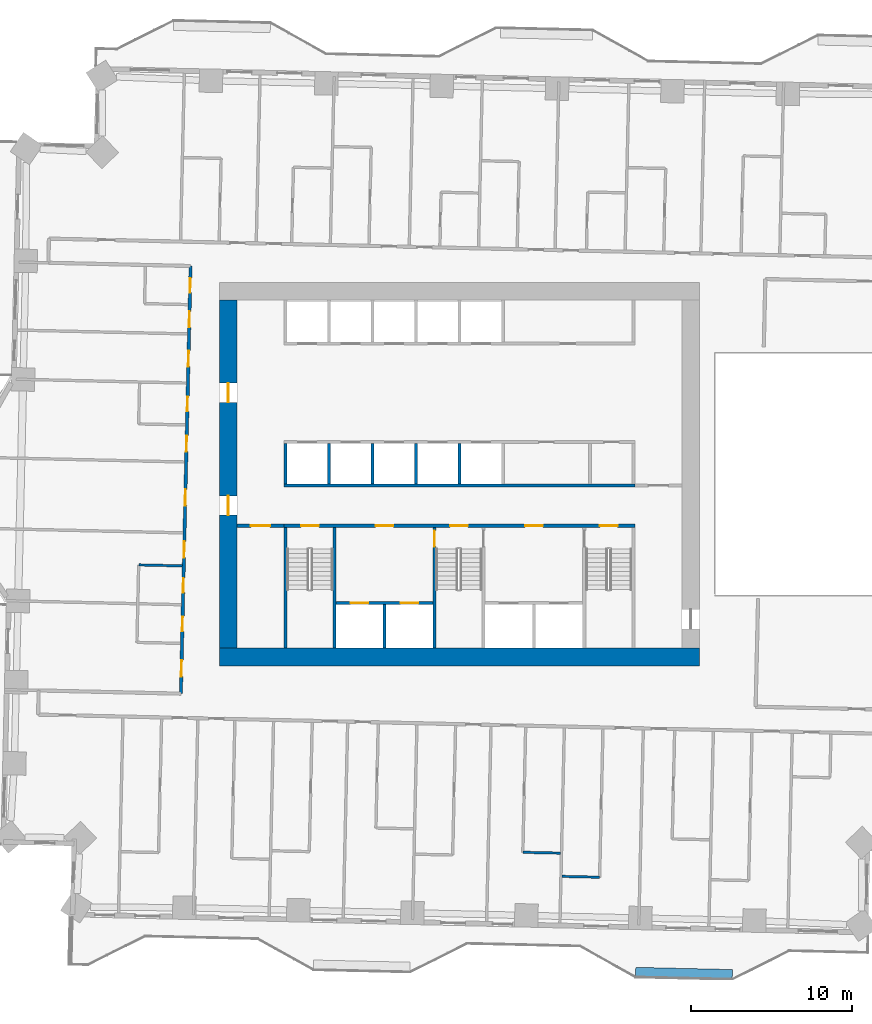
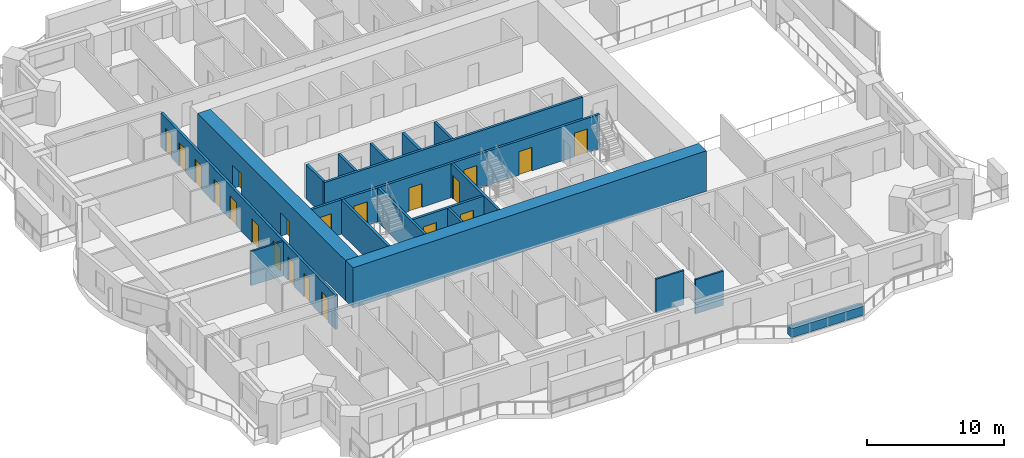
# One storey, part 8 of 18: 21 doors, 20 walls, 21 openings.
"""IFC4 building model written with IfcOpenShell, lengths in metres."""

from ifc_helpers import new_model, si_unit, direction, frame, frame_2d, origin, place, context, subcontext, project, spatial, rectangle, extrude, material, layer, layer_set, type_object, element, fill, save


model = new_model("IFC4")

# Units and contexts
model_context = context("Model", 3, precision=1e-05, world=origin(), true_north=direction((0.0, 1.0)))
body_context = subcontext(model_context, "Body", "Model", "MODEL_VIEW")
ifc_project = project(units=[si_unit("LENGTHUNIT", "METRE"), si_unit("AREAUNIT", "SQUARE_METRE"), si_unit("VOLUMEUNIT", "CUBIC_METRE"), si_unit("PLANEANGLEUNIT", "RADIAN"), si_unit("MASSUNIT", "GRAM", prefix="KILO")], contexts=[model_context])

# Site, building, storey
site_placement = place(None, origin())
site = spatial("IfcSite", under=ifc_project, at=site_placement, CompositionType="ELEMENT")
building_placement = place(site_placement, origin())
building = spatial("IfcBuilding", under=site, at=building_placement, Name="Mangrove Gate Tower", CompositionType="ELEMENT")
storey_placement = place(building_placement, frame((0.0, 0.0, 71.10009765625)))
storey = spatial("IfcBuildingStorey", under=building, at=storey_placement, Name="L17", CompositionType="ELEMENT", Elevation=71.10009765625)

# Wall, opening, door
ifc_material_1 = material(Name="Concrete C32/40", Category="concrete")
ifc_layer_1 = layer(ifc_material_1, 0.199951171875)
ifc_layer_set_1 = layer_set([ifc_layer_1], Name="Core lobby wall 200 C32/40")
wall_type_1 = type_object("IfcWallType", Name="Core lobby wall 200 C32/40", PredefinedType="STANDARD", material=ifc_layer_set_1)
wall_1_placement = place(storey_placement, frame((-13.800048828125, -3.199951171875, 0.0), z_axis=(0.0, 0.0, 1.0), x_axis=(1.0, 0.0, 0.0)))
wall_1 = element("IfcWall", 1, at=wall_1_placement, inside=storey, type_object=wall_type_1, Name="WALL-L17-CORE-34", PredefinedType="STANDARD", context=body_context, shape_type="SweptSolid", body=[
    extrude(rectangle(XDim=2.900146484375, YDim=0.199951171875, at=frame_2d((1.4501953125, 0.0))), origin(), (0.0, 0.0, 1.0), 3.0498046875),
])
opening_1_placement = place(wall_1_placement, frame((0.85009765625, 0.0, 0.0)))
opening_1 = element("IfcOpeningElement", 2, at=opening_1_placement, cuts=wall_1, Name="Opening FL12", PredefinedType="OPENING", context=body_context, shape_type="SweptSolid", body=[
    extrude(rectangle(XDim=1.199951171875, YDim=2.10009765625, at=frame_2d((0.60009765625, 1.050048828125))), frame((0.0, 0.10986328125, 0.0), z_axis=(0.0, -1.0, 0.0), x_axis=(1.0, 0.0, 0.0)), (0.0, 0.0, 1.0), 0.219970703125),
])
ifc_material_2 = material(Name="Fire-rated steel door set", Category="steel")
door_type_1 = type_object("IfcDoorType", Name="Lobby door FD60 1200x2100", OperationType="SINGLE_SWING_LEFT", PredefinedType="DOOR", material=ifc_material_2)
door_1_placement = place(opening_1_placement, origin())
door_1 = element("IfcDoor", 3, at=door_1_placement, inside=storey, type_object=door_type_1, Name="Lobby door core corridor W partition", OperationType="SINGLE_SWING_LEFT", OverallHeight=2.10009765625, OverallWidth=1.199951171875, PredefinedType="DOOR", context=body_context, shape_type="SweptSolid", body=[
    extrude(rectangle(XDim=1.199951171875, YDim=2.10009765625, at=frame_2d((0.60009765625, 1.050048828125))), frame((0.0, 0.02490234375, 0.0), z_axis=(0.0, -1.0, 0.0), x_axis=(1.0, 0.0, 0.0)), (0.0, 0.0, 1.0), 0.050048828125),
])
fill(opening_1, door_1)

# Wall
ifc_material_3 = material(Name="Concrete C70/85", Category="concrete")
ifc_layer_2 = layer(ifc_material_3, 0.199951171875)
ifc_layer_set_2 = layer_set([ifc_layer_2], Name="Core shaft wall 200 C70/85")
wall_type_2 = type_object("IfcWallType", Name="Core shaft wall 200 C70/85", PredefinedType="SHEAR", material=ifc_layer_set_2)
wall_2_placement = place(storey_placement, frame((-10.89990234375, -0.699951171875, 0.0), z_axis=(0.0, 0.0, 1.0), x_axis=(1.0, 0.0, 0.0)))
element("IfcWall", 4, at=wall_2_placement, inside=storey, type_object=wall_type_2, Name="WALL-L17-CORE-6", PredefinedType="SHEAR", context=body_context, shape_type="SweptSolid", body=[
    extrude(rectangle(XDim=21.7998046875, YDim=0.199951171875, at=frame_2d((10.89990234375, 0.0))), origin(), (0.0, 0.0, 1.0), 3.0498046875),
])

# Wall, openings, doors
wall_3_placement = place(storey_placement, frame((-7.64990234375, -8.0, 0.0), z_axis=(0.0, 0.0, 1.0), x_axis=(1.0, 0.0, 0.0)))
wall_3 = element("IfcWall", 5, at=wall_3_placement, inside=storey, type_object=wall_type_2, Name="WALL-L17-CORE-15", PredefinedType="SHEAR", context=body_context, shape_type="SweptSolid", body=[
    extrude(rectangle(XDim=6.0, YDim=0.199951171875, at=frame_2d((3.0, 0.0))), origin(), (0.0, 0.0, 1.0), 3.0498046875),
])
opening_2_placement = place(wall_3_placement, frame((0.89990234375, 0.0, 0.0)))
opening_2 = element("IfcOpeningElement", 6, at=opening_2_placement, cuts=wall_3, Name="Opening LD", PredefinedType="OPENING", context=body_context, shape_type="SweptSolid", body=[
    extrude(rectangle(XDim=1.10009765625, YDim=2.10009765625, at=frame_2d((0.550048828125, 1.050048828125))), frame((0.0, 0.10986328125, 0.0), z_axis=(0.0, -1.0, 0.0), x_axis=(1.0, 0.0, 0.0)), (0.0, 0.0, 1.0), 0.219970703125),
])
opening_3_placement = place(wall_3_placement, frame((4.0, 0.0, 0.0)))
opening_3 = element("IfcOpeningElement", 7, at=opening_3_placement, cuts=wall_3, Name="Opening LD", PredefinedType="OPENING", context=body_context, shape_type="SweptSolid", body=[
    extrude(rectangle(XDim=1.10009765625, YDim=2.10009765625, at=frame_2d((0.550048828125, 1.050048828125))), frame((0.0, 0.10986328125, 0.0), z_axis=(0.0, -1.0, 0.0), x_axis=(1.0, 0.0, 0.0)), (0.0, 0.0, 1.0), 0.219970703125),
])
ifc_material_4 = material(Name="Stainless steel 316", Category="steel")
door_type_2 = type_object("IfcDoorType", Name="Lift landing door 1100x2100", OperationType="SLIDING_TO_LEFT", PredefinedType="DOOR", material=ifc_material_4)
door_2_placement = place(opening_2_placement, origin())
door_2 = element("IfcDoor", 8, at=door_2_placement, inside=storey, type_object=door_type_2, Name="Landing door LD SVL1", OperationType="SLIDING_TO_LEFT", OverallHeight=2.10009765625, OverallWidth=1.10009765625, PredefinedType="DOOR", context=body_context, shape_type="SweptSolid", body=[
    extrude(rectangle(XDim=1.10009765625, YDim=2.10009765625, at=frame_2d((0.550048828125, 1.050048828125))), frame((0.0, 0.02490234375, 0.0), z_axis=(0.0, -1.0, 0.0), x_axis=(1.0, 0.0, 0.0)), (0.0, 0.0, 1.0), 0.050048828125),
])
fill(opening_2, door_2)
door_3_placement = place(opening_3_placement, origin())
door_3 = element("IfcDoor", 9, at=door_3_placement, inside=storey, type_object=door_type_2, Name="Landing door LD SVL2", OperationType="SLIDING_TO_LEFT", OverallHeight=2.10009765625, OverallWidth=1.10009765625, PredefinedType="DOOR", context=body_context, shape_type="SweptSolid", body=[
    extrude(rectangle(XDim=1.10009765625, YDim=2.10009765625, at=frame_2d((0.550048828125, 1.050048828125))), frame((0.0, 0.02490234375, 0.0), z_axis=(0.0, -1.0, 0.0), x_axis=(1.0, 0.0, 0.0)), (0.0, 0.0, 1.0), 0.050048828125),
])
fill(opening_3, door_3)

# Walls
wall_4_placement = place(storey_placement, frame((-4.64990234375, -10.800048828125, 0.0), z_axis=(0.0, 0.0, 1.0), x_axis=(0.0, 1.0, 0.0)))
element("IfcWall", 10, at=wall_4_placement, inside=storey, type_object=wall_type_2, Name="WALL-L17-CORE-16", PredefinedType="SHEAR", context=body_context, shape_type="SweptSolid", body=[
    extrude(rectangle(XDim=2.699951171875, YDim=0.199951171875, at=frame_2d((1.35009765625, 0.0))), origin(), (0.0, 0.0, 1.0), 3.0498046875),
])
for number, where, z_axis, x_axis, name in (
    (11, (-10.800048828125, -0.60009765625, 0.0), (0.0, 0.0, 1.0), (0.0, 1.0, 0.0), "WALL-L17-CORE-19"),
    (12, (-8.10009765625, -0.60009765625, 0.0), (0.0, 0.0, 1.0), (0.0, 1.0, 0.0), "WALL-L17-CORE-20"),
    (13, (-5.39990234375, -0.60009765625, 0.0), (0.0, 0.0, 1.0), (0.0, 1.0, 0.0), "WALL-L17-CORE-21"),
    (14, (-2.699951171875, -0.60009765625, 0.0), (0.0, 0.0, 1.0), (0.0, 1.0, 0.0), "WALL-L17-CORE-22"),
    (15, (0.0, -0.60009765625, 0.0), (0.0, 0.0, 1.0), (0.0, 1.0, 0.0), "WALL-L17-CORE-23"),
):
    element("IfcWall", number, at=place(storey_placement, frame(where, z_axis=z_axis, x_axis=x_axis)), inside=storey, type_object=wall_type_2, Name=name, PredefinedType="SHEAR", context=body_context, shape_type="SweptSolid", body=[
        extrude(rectangle(XDim=2.5, YDim=0.199951171875, at=frame_2d((1.25, 0.0))), origin(), (0.0, 0.0, 1.0), 3.0498046875),
    ])

# Wall, openings, doors
ifc_material_5 = material(Name="Concrete C70/85", Category="concrete")
ifc_layer_3 = layer(ifc_material_5, 0.199951171875)
ifc_layer_set_3 = layer_set([ifc_layer_3], Name="Core stair wall 200 C70/85")
wall_type_3 = type_object("IfcWallType", Name="Core stair wall 200 C70/85", PredefinedType="SHEAR", material=ifc_layer_set_3)
wall_5_placement = place(storey_placement, frame((-10.89990234375, -3.199951171875, 0.0), z_axis=(0.0, 0.0, 1.0), x_axis=(1.0, 0.0, 0.0)))
wall_5 = element("IfcWall", 16, at=wall_5_placement, inside=storey, type_object=wall_type_3, Name="WALL-L17-CORE-5", PredefinedType="SHEAR", context=body_context, shape_type="SweptSolid", body=[
    extrude(rectangle(XDim=21.7998046875, YDim=0.199951171875, at=frame_2d((10.89990234375, 0.0))), origin(), (0.0, 0.0, 1.0), 3.0498046875),
])
opening_4_placement = place(wall_5_placement, frame((1.074951171875, 0.0, 0.0)))
opening_4 = element("IfcOpeningElement", 17, at=opening_4_placement, cuts=wall_5, Name="Opening STD11", PredefinedType="OPENING", context=body_context, shape_type="SweptSolid", body=[
    extrude(rectangle(XDim=1.10009765625, YDim=2.10009765625, at=frame_2d((0.550048828125, 1.050048828125))), frame((0.0, 0.10986328125, 0.0), z_axis=(0.0, -1.0, 0.0), x_axis=(1.0, 0.0, 0.0)), (0.0, 0.0, 1.0), 0.219970703125),
])
opening_5_placement = place(wall_5_placement, frame((10.324951171875, 0.0, 0.0)))
opening_5 = element("IfcOpeningElement", 18, at=opening_5_placement, cuts=wall_5, Name="Opening STD11", PredefinedType="OPENING", context=body_context, shape_type="SweptSolid", body=[
    extrude(rectangle(XDim=1.10009765625, YDim=2.10009765625, at=frame_2d((0.550048828125, 1.050048828125))), frame((0.0, 0.10986328125, 0.0), z_axis=(0.0, -1.0, 0.0), x_axis=(1.0, 0.0, 0.0)), (0.0, 0.0, 1.0), 0.219970703125),
])
opening_6_placement = place(wall_5_placement, frame((19.625, 0.0, 0.0)))
opening_6 = element("IfcOpeningElement", 19, at=opening_6_placement, cuts=wall_5, Name="Opening STD11", PredefinedType="OPENING", context=body_context, shape_type="SweptSolid", body=[
    extrude(rectangle(XDim=1.10009765625, YDim=2.10009765625, at=frame_2d((0.550048828125, 1.050048828125))), frame((0.0, 0.10986328125, 0.0), z_axis=(0.0, -1.0, 0.0), x_axis=(1.0, 0.0, 0.0)), (0.0, 0.0, 1.0), 0.219970703125),
])
opening_7_placement = place(wall_5_placement, frame((5.699951171875, 0.0, 0.0)))
opening_7 = element("IfcOpeningElement", 20, at=opening_7_placement, cuts=wall_5, Name="Opening FL", PredefinedType="OPENING", context=body_context, shape_type="SweptSolid", body=[
    extrude(rectangle(XDim=1.10009765625, YDim=2.10009765625, at=frame_2d((0.550048828125, 1.050048828125))), frame((0.0, 0.10986328125, 0.0), z_axis=(0.0, -1.0, 0.0), x_axis=(1.0, 0.0, 0.0)), (0.0, 0.0, 1.0), 0.219970703125),
])
opening_8_placement = place(wall_5_placement, frame((14.97509765625, 0.0, 0.0)))
opening_8 = element("IfcOpeningElement", 21, at=opening_8_placement, cuts=wall_5, Name="Opening FL", PredefinedType="OPENING", context=body_context, shape_type="SweptSolid", body=[
    extrude(rectangle(XDim=1.10009765625, YDim=2.10009765625, at=frame_2d((0.550048828125, 1.050048828125))), frame((0.0, 0.10986328125, 0.0), z_axis=(0.0, -1.0, 0.0), x_axis=(1.0, 0.0, 0.0)), (0.0, 0.0, 1.0), 0.219970703125),
])
ifc_material_6 = material(Name="Fire-rated steel door set", Category="steel")
door_type_3 = type_object("IfcDoorType", Name="Lobby door FD60 1100x2100", OperationType="SINGLE_SWING_LEFT", PredefinedType="DOOR", material=ifc_material_6)
door_4_placement = place(opening_7_placement, origin())
door_4 = element("IfcDoor", 22, at=door_4_placement, inside=storey, type_object=door_type_3, Name="Lobby door service lobby", OperationType="SINGLE_SWING_LEFT", OverallHeight=2.10009765625, OverallWidth=1.10009765625, PredefinedType="DOOR", context=body_context, shape_type="SweptSolid", body=[
    extrude(rectangle(XDim=1.10009765625, YDim=2.10009765625, at=frame_2d((0.550048828125, 1.050048828125))), frame((0.0, 0.02490234375, 0.0), z_axis=(0.0, -1.0, 0.0), x_axis=(1.0, 0.0, 0.0)), (0.0, 0.0, 1.0), 0.050048828125),
])
fill(opening_7, door_4)
door_5_placement = place(opening_8_placement, origin())
door_5 = element("IfcDoor", 23, at=door_5_placement, inside=storey, type_object=door_type_3, Name="Lobby door fire-fighting lobby", OperationType="SINGLE_SWING_LEFT", OverallHeight=2.10009765625, OverallWidth=1.10009765625, PredefinedType="DOOR", context=body_context, shape_type="SweptSolid", body=[
    extrude(rectangle(XDim=1.10009765625, YDim=2.10009765625, at=frame_2d((0.550048828125, 1.050048828125))), frame((0.0, 0.02490234375, 0.0), z_axis=(0.0, -1.0, 0.0), x_axis=(1.0, 0.0, 0.0)), (0.0, 0.0, 1.0), 0.050048828125),
])
fill(opening_8, door_5)
ifc_material_7 = material(Name="Fire-rated steel door set", Category="steel")
door_type_4 = type_object("IfcDoorType", Name="Stair door FD60 1100x2100", OperationType="SINGLE_SWING_RIGHT", PredefinedType="DOOR", material=ifc_material_7)
door_6_placement = place(opening_4_placement, origin())
door_6 = element("IfcDoor", 24, at=door_6_placement, inside=storey, type_object=door_type_4, Name="Stair door Stair 1", OperationType="SINGLE_SWING_RIGHT", OverallHeight=2.10009765625, OverallWidth=1.10009765625, PredefinedType="DOOR", context=body_context, shape_type="SweptSolid", body=[
    extrude(rectangle(XDim=1.10009765625, YDim=2.10009765625, at=frame_2d((0.550048828125, 1.050048828125))), frame((0.0, 0.02490234375, 0.0), z_axis=(0.0, -1.0, 0.0), x_axis=(1.0, 0.0, 0.0)), (0.0, 0.0, 1.0), 0.050048828125),
])
fill(opening_4, door_6)
door_7_placement = place(opening_5_placement, origin())
door_7 = element("IfcDoor", 25, at=door_7_placement, inside=storey, type_object=door_type_4, Name="Stair door Stair 2", OperationType="SINGLE_SWING_RIGHT", OverallHeight=2.10009765625, OverallWidth=1.10009765625, PredefinedType="DOOR", context=body_context, shape_type="SweptSolid", body=[
    extrude(rectangle(XDim=1.10009765625, YDim=2.10009765625, at=frame_2d((0.550048828125, 1.050048828125))), frame((0.0, 0.02490234375, 0.0), z_axis=(0.0, -1.0, 0.0), x_axis=(1.0, 0.0, 0.0)), (0.0, 0.0, 1.0), 0.050048828125),
])
fill(opening_5, door_7)
door_8_placement = place(opening_6_placement, origin())
door_8 = element("IfcDoor", 26, at=door_8_placement, inside=storey, type_object=door_type_4, Name="Stair door Stair 3", OperationType="SINGLE_SWING_RIGHT", OverallHeight=2.10009765625, OverallWidth=1.10009765625, PredefinedType="DOOR", context=body_context, shape_type="SweptSolid", body=[
    extrude(rectangle(XDim=1.10009765625, YDim=2.10009765625, at=frame_2d((0.550048828125, 1.050048828125))), frame((0.0, 0.02490234375, 0.0), z_axis=(0.0, -1.0, 0.0), x_axis=(1.0, 0.0, 0.0)), (0.0, 0.0, 1.0), 0.050048828125),
])
fill(opening_6, door_8)

# Walls
for number, where, z_axis, x_axis, name in (
    (27, (-10.800048828125, -10.800048828125, 0.0), (0.0, 0.0, 1.0), (0.0, 1.0, 0.0), "WALL-L17-CORE-9"),
    (28, (-7.75, -10.800048828125, 0.0), (0.0, 0.0, 1.0), (0.0, 1.0, 0.0), "WALL-L17-CORE-10"),
):
    element("IfcWall", number, at=place(storey_placement, frame(where, z_axis=z_axis, x_axis=x_axis)), inside=storey, type_object=wall_type_3, Name=name, PredefinedType="SHEAR", context=body_context, shape_type="SweptSolid", body=[
        extrude(rectangle(XDim=7.5, YDim=0.199951171875, at=frame_2d((3.75, 0.0))), origin(), (0.0, 0.0, 1.0), 3.0498046875),
    ])

# Wall, opening, door
wall_6_placement = place(storey_placement, frame((-1.550048828125, -10.800048828125, 0.0), z_axis=(0.0, 0.0, 1.0), x_axis=(0.0, 1.0, 0.0)))
wall_6 = element("IfcWall", 29, at=wall_6_placement, inside=storey, type_object=wall_type_3, Name="WALL-L17-CORE-11", PredefinedType="SHEAR", context=body_context, shape_type="SweptSolid", body=[
    extrude(rectangle(XDim=7.5, YDim=0.199951171875, at=frame_2d((3.75, 0.0))), origin(), (0.0, 0.0, 1.0), 3.0498046875),
])
opening_9_placement = place(wall_6_placement, frame((6.300048828125, 0.0, 0.0)))
opening_9 = element("IfcOpeningElement", 30, at=opening_9_placement, cuts=wall_6, Name="Opening STD10", PredefinedType="OPENING", context=body_context, shape_type="SweptSolid", body=[
    extrude(rectangle(XDim=1.0, YDim=2.10009765625, at=frame_2d((0.5, 1.050048828125))), frame((0.0, 0.10986328125, 0.0), z_axis=(0.0, -1.0, 0.0), x_axis=(1.0, 0.0, 0.0)), (0.0, 0.0, 1.0), 0.219970703125),
])
ifc_material_8 = material(Name="Fire-rated steel door set", Category="steel")
door_type_5 = type_object("IfcDoorType", Name="Stair door FD60 1000x2100", OperationType="SINGLE_SWING_RIGHT", PredefinedType="DOOR", material=ifc_material_8)
door_9_placement = place(opening_9_placement, origin())
door_9 = element("IfcDoor", 31, at=door_9_placement, inside=storey, type_object=door_type_5, Name="Stair door Stair 2 from service lobby", OperationType="SINGLE_SWING_RIGHT", OverallHeight=2.10009765625, OverallWidth=1.0, PredefinedType="DOOR", context=body_context, shape_type="SweptSolid", body=[
    extrude(rectangle(XDim=1.0, YDim=2.10009765625, at=frame_2d((0.5, 1.050048828125))), frame((0.0, 0.02490234375, 0.0), z_axis=(0.0, -1.0, 0.0), x_axis=(1.0, 0.0, 0.0)), (0.0, 0.0, 1.0), 0.050048828125),
])
fill(opening_9, door_9)

# Wall
ifc_material_9 = material(Name="Concrete C70/85", Category="concrete")
ifc_layer_4 = layer(ifc_material_9, 1.10009765625)
ifc_layer_set_4 = layer_set([ifc_layer_4], Name="Core wall 1100 C70/85")
wall_type_4 = type_object("IfcWallType", Name="Core wall 1100 C70/85", PredefinedType="SHEAR", material=ifc_layer_set_4)
wall_7_placement = place(storey_placement, frame((-14.89990234375, -11.35009765625, 0.0), z_axis=(0.0, 0.0, 1.0), x_axis=(1.0, 0.0, 0.0)))
element("IfcWall", 32, at=wall_7_placement, inside=storey, type_object=wall_type_4, Name="WALL-L17-CORE-1", PredefinedType="SHEAR", context=body_context, shape_type="SweptSolid", body=[
    extrude(rectangle(XDim=29.7998046875, YDim=1.10009765625, at=frame_2d((14.89990234375, 0.0))), origin(), (0.0, 0.0, 1.0), 3.599853515625),
])

# Wall, openings, doors
wall_8_placement = place(storey_placement, frame((-14.35009765625, -10.800048828125, 0.0), z_axis=(0.0, 0.0, 1.0), x_axis=(0.0, 1.0, 0.0)))
wall_8 = element("IfcWall", 33, at=wall_8_placement, inside=storey, type_object=wall_type_4, Name="WALL-L17-CORE-3", PredefinedType="SHEAR", context=body_context, shape_type="SweptSolid", body=[
    extrude(rectangle(XDim=21.60009765625, YDim=1.10009765625, at=frame_2d((10.800048828125, 0.0))), origin(), (0.0, 0.0, 1.0), 3.599853515625),
])
opening_10_placement = place(wall_8_placement, frame((8.25, 0.0, 0.0)))
opening_10 = element("IfcOpeningElement", 34, at=opening_10_placement, cuts=wall_8, Name="Opening CD", PredefinedType="OPENING", context=body_context, shape_type="SweptSolid", body=[
    extrude(rectangle(XDim=1.199951171875, YDim=2.10009765625, at=frame_2d((0.60009765625, 1.050048828125))), frame((0.0, 0.56005859375, 0.0), z_axis=(0.0, -1.0, 0.0), x_axis=(1.0, 0.0, 0.0)), (0.0, 0.0, 1.0), 1.1201171875),
])
opening_11_placement = place(wall_8_placement, frame((15.25, 0.0, 0.0)))
opening_11 = element("IfcOpeningElement", 35, at=opening_11_placement, cuts=wall_8, Name="Opening CD", PredefinedType="OPENING", context=body_context, shape_type="SweptSolid", body=[
    extrude(rectangle(XDim=1.199951171875, YDim=2.10009765625, at=frame_2d((0.60009765625, 1.050048828125))), frame((0.0, 0.56005859375, 0.0), z_axis=(0.0, -1.0, 0.0), x_axis=(1.0, 0.0, 0.0)), (0.0, 0.0, 1.0), 1.1201171875),
])
ifc_material_10 = material(Name="Fire-rated steel door set", Category="steel")
door_type_6 = type_object("IfcDoorType", Name="Core ring door FD60 1200x2100", OperationType="DOUBLE_DOOR_SINGLE_SWING", PredefinedType="DOOR", material=ifc_material_10)
door_10_placement = place(opening_10_placement, origin())
door_10 = element("IfcDoor", 36, at=door_10_placement, inside=storey, type_object=door_type_6, Name="Core ring door W1", OperationType="DOUBLE_DOOR_SINGLE_SWING", OverallHeight=2.10009765625, OverallWidth=1.199951171875, PredefinedType="DOOR", context=body_context, shape_type="SweptSolid", body=[
    extrude(rectangle(XDim=1.199951171875, YDim=2.10009765625, at=frame_2d((0.60009765625, 1.050048828125))), frame((0.0, 0.02490234375, 0.0), z_axis=(0.0, -1.0, 0.0), x_axis=(1.0, 0.0, 0.0)), (0.0, 0.0, 1.0), 0.050048828125),
])
fill(opening_10, door_10)
door_11_placement = place(opening_11_placement, origin())
door_11 = element("IfcDoor", 37, at=door_11_placement, inside=storey, type_object=door_type_6, Name="Core ring door W2", OperationType="DOUBLE_DOOR_SINGLE_SWING", OverallHeight=2.10009765625, OverallWidth=1.199951171875, PredefinedType="DOOR", context=body_context, shape_type="SweptSolid", body=[
    extrude(rectangle(XDim=1.199951171875, YDim=2.10009765625, at=frame_2d((0.60009765625, 1.050048828125))), frame((0.0, 0.02490234375, 0.0), z_axis=(0.0, -1.0, 0.0), x_axis=(1.0, 0.0, 0.0)), (0.0, 0.0, 1.0), 0.050048828125),
])
fill(opening_11, door_11)

ifc_material_11 = material(Name="Gypsum board on steel stud, EI 60", Category="steel")
ifc_layer_5 = layer(ifc_material_11, 0.199951171875)
ifc_layer_set_5 = layer_set([ifc_layer_5], Name="Corridor wall EI 60")
wall_type_5 = type_object("IfcWallType", Name="Corridor wall EI 60", PredefinedType="PARTITIONING", material=ifc_layer_set_5)
wall_9_placement = place(storey_placement, frame((-17.287109375, -13.625, 0.0), z_axis=(0.0, 0.0, 1.0), x_axis=(0.022712214871, 0.999742044377, 0.0)))
wall_9 = element("IfcWall", 38, at=wall_9_placement, inside=storey, type_object=wall_type_5, Name="WALL-L17-036", PredefinedType="PARTITIONING", context=body_context, shape_type="SweptSolid", body=[
    extrude(rectangle(XDim=26.55078125, YDim=0.199951171875, at=frame_2d((13.275390625, 0.0))), origin(), (0.0, 0.0, 1.0), 3.0498046875),
])
opening_12_placement = place(wall_9_placement, frame((22.738037109375, 0.0, 0.0)))
opening_12 = element("IfcOpeningElement", 39, at=opening_12_placement, cuts=wall_9, Name="Opening AD", PredefinedType="OPENING", context=body_context, shape_type="SweptSolid", body=[
    extrude(rectangle(XDim=1.0, YDim=2.10009765625, at=frame_2d((0.5, 1.050048828125))), frame((0.0, 0.10986328125, 0.0), z_axis=(0.0, -1.0, 0.0), x_axis=(1.0, 0.0, 0.0)), (0.0, 0.0, 1.0), 0.219970703125),
])
opening_13_placement = place(wall_9_placement, frame((24.89990234375, 0.0, 0.0)))
opening_13 = element("IfcOpeningElement", 40, at=opening_13_placement, cuts=wall_9, Name="Opening SD", PredefinedType="OPENING", context=body_context, shape_type="SweptSolid", body=[
    extrude(rectangle(XDim=0.89990234375, YDim=2.10009765625, at=frame_2d((0.449951171875, 1.050048828125))), frame((0.0, 0.10986328125, 0.0), z_axis=(0.0, -1.0, 0.0), x_axis=(1.0, 0.0, 0.0)), (0.0, 0.0, 1.0), 0.219970703125),
])
opening_14_placement = place(wall_9_placement, frame((20.300048828125, 0.0, 0.0)))
opening_14 = element("IfcOpeningElement", 41, at=opening_14_placement, cuts=wall_9, Name="Opening AD", PredefinedType="OPENING", context=body_context, shape_type="SweptSolid", body=[
    extrude(rectangle(XDim=1.0, YDim=2.10009765625, at=frame_2d((0.5, 1.050048828125))), frame((0.0, 0.10986328125, 0.0), z_axis=(0.0, -1.0, 0.0), x_axis=(1.0, 0.0, 0.0)), (0.0, 0.0, 1.0), 0.219970703125),
])
opening_15_placement = place(wall_9_placement, frame((15.02490234375, 0.0, 0.0)))
opening_15 = element("IfcOpeningElement", 42, at=opening_15_placement, cuts=wall_9, Name="Opening AD", PredefinedType="OPENING", context=body_context, shape_type="SweptSolid", body=[
    extrude(rectangle(XDim=1.0, YDim=2.10009765625, at=frame_2d((0.5, 1.050048828125))), frame((0.0, 0.10986328125, 0.0), z_axis=(0.0, -1.0, 0.0), x_axis=(1.0, 0.0, 0.0)), (0.0, 0.0, 1.0), 0.219970703125),
])
opening_16_placement = place(wall_9_placement, frame((17.52490234375, 0.0, 0.0)))
opening_16 = element("IfcOpeningElement", 43, at=opening_16_placement, cuts=wall_9, Name="Opening SD", PredefinedType="OPENING", context=body_context, shape_type="SweptSolid", body=[
    extrude(rectangle(XDim=0.89990234375, YDim=2.10009765625, at=frame_2d((0.449951171875, 1.050048828125))), frame((0.0, 0.10986328125, 0.0), z_axis=(0.0, -1.0, 0.0), x_axis=(1.0, 0.0, 0.0)), (0.0, 0.0, 1.0), 0.219970703125),
])
opening_17_placement = place(wall_9_placement, frame((11.677978515625, 0.0, 0.0)))
opening_17 = element("IfcOpeningElement", 44, at=opening_17_placement, cuts=wall_9, Name="Opening AD", PredefinedType="OPENING", context=body_context, shape_type="SweptSolid", body=[
    extrude(rectangle(XDim=1.0, YDim=2.10009765625, at=frame_2d((0.5, 1.050048828125))), frame((0.0, 0.10986328125, 0.0), z_axis=(0.0, -1.0, 0.0), x_axis=(1.0, 0.0, 0.0)), (0.0, 0.0, 1.0), 0.219970703125),
])
opening_18_placement = place(wall_9_placement, frame((8.449951171875, 0.0, 0.0)))
opening_18 = element("IfcOpeningElement", 45, at=opening_18_placement, cuts=wall_9, Name="Opening AD", PredefinedType="OPENING", context=body_context, shape_type="SweptSolid", body=[
    extrude(rectangle(XDim=1.0, YDim=2.10009765625, at=frame_2d((0.5, 1.050048828125))), frame((0.0, 0.10986328125, 0.0), z_axis=(0.0, -1.0, 0.0), x_axis=(1.0, 0.0, 0.0)), (0.0, 0.0, 1.0), 0.219970703125),
])
opening_19_placement = place(wall_9_placement, frame((6.27490234375, 0.0, 0.0)))
opening_19 = element("IfcOpeningElement", 46, at=opening_19_placement, cuts=wall_9, Name="Opening SD", PredefinedType="OPENING", context=body_context, shape_type="SweptSolid", body=[
    extrude(rectangle(XDim=0.89990234375, YDim=2.10009765625, at=frame_2d((0.449951171875, 1.050048828125))), frame((0.0, 0.10986328125, 0.0), z_axis=(0.0, -1.0, 0.0), x_axis=(1.0, 0.0, 0.0)), (0.0, 0.0, 1.0), 0.219970703125),
])
opening_20_placement = place(wall_9_placement, frame((1.06201171875, 0.0, 0.0)))
opening_20 = element("IfcOpeningElement", 47, at=opening_20_placement, cuts=wall_9, Name="Opening AD", PredefinedType="OPENING", context=body_context, shape_type="SweptSolid", body=[
    extrude(rectangle(XDim=1.0, YDim=2.10009765625, at=frame_2d((0.5, 1.050048828125))), frame((0.0, 0.10986328125, 0.0), z_axis=(0.0, -1.0, 0.0), x_axis=(1.0, 0.0, 0.0)), (0.0, 0.0, 1.0), 0.219970703125),
])
opening_21_placement = place(wall_9_placement, frame((3.875, 0.0, 0.0)))
opening_21 = element("IfcOpeningElement", 48, at=opening_21_placement, cuts=wall_9, Name="Opening SD", PredefinedType="OPENING", context=body_context, shape_type="SweptSolid", body=[
    extrude(rectangle(XDim=0.89990234375, YDim=2.10009765625, at=frame_2d((0.449951171875, 1.050048828125))), frame((0.0, 0.10986328125, 0.0), z_axis=(0.0, -1.0, 0.0), x_axis=(1.0, 0.0, 0.0)), (0.0, 0.0, 1.0), 0.219970703125),
])
ifc_material_12 = material(Name="Timber door leaf", Category="wood")
door_type_7 = type_object("IfcDoorType", Name="Amenity door 1000", OperationType="SINGLE_SWING_LEFT", PredefinedType="DOOR", material=ifc_material_12)
door_12_placement = place(opening_12_placement, origin())
door_12 = element("IfcDoor", 49, at=door_12_placement, inside=storey, type_object=door_type_7, Name="DOOR-L17-KIT-c5b", OperationType="SINGLE_SWING_LEFT", OverallHeight=2.10009765625, OverallWidth=1.0, PredefinedType="DOOR", context=body_context, shape_type="SweptSolid", body=[
    extrude(rectangle(XDim=1.0, YDim=2.10009765625, at=frame_2d((0.5, 1.050048828125))), frame((0.0, 0.02490234375, 0.0), z_axis=(0.0, -1.0, 0.0), x_axis=(1.0, 0.0, 0.0)), (0.0, 0.0, 1.0), 0.050048828125),
])
fill(opening_12, door_12)
door_13_placement = place(opening_14_placement, origin())
door_13 = element("IfcDoor", 50, at=door_13_placement, inside=storey, type_object=door_type_7, Name="DOOR-L17-STU-c5a", OperationType="SINGLE_SWING_RIGHT", OverallHeight=2.10009765625, OverallWidth=1.0, PredefinedType="DOOR", context=body_context, shape_type="SweptSolid", body=[
    extrude(rectangle(XDim=1.0, YDim=2.10009765625, at=frame_2d((0.5, 1.050048828125))), frame((0.0, 0.02490234375, 0.0), z_axis=(0.0, -1.0, 0.0), x_axis=(1.0, 0.0, 0.0)), (0.0, 0.0, 1.0), 0.050048828125),
])
fill(opening_14, door_13)
door_14_placement = place(opening_15_placement, origin())
door_14 = element("IfcDoor", 51, at=door_14_placement, inside=storey, type_object=door_type_7, Name="DOOR-L17-GAM-c5a", OperationType="SINGLE_SWING_LEFT", OverallHeight=2.10009765625, OverallWidth=1.0, PredefinedType="DOOR", context=body_context, shape_type="SweptSolid", body=[
    extrude(rectangle(XDim=1.0, YDim=2.10009765625, at=frame_2d((0.5, 1.050048828125))), frame((0.0, 0.02490234375, 0.0), z_axis=(0.0, -1.0, 0.0), x_axis=(1.0, 0.0, 0.0)), (0.0, 0.0, 1.0), 0.050048828125),
])
fill(opening_15, door_14)
door_15_placement = place(opening_17_placement, origin())
door_15 = element("IfcDoor", 52, at=door_15_placement, inside=storey, type_object=door_type_7, Name="DOOR-L17-GAM-c5b", OperationType="SINGLE_SWING_RIGHT", OverallHeight=2.10009765625, OverallWidth=1.0, PredefinedType="DOOR", context=body_context, shape_type="SweptSolid", body=[
    extrude(rectangle(XDim=1.0, YDim=2.10009765625, at=frame_2d((0.5, 1.050048828125))), frame((0.0, 0.02490234375, 0.0), z_axis=(0.0, -1.0, 0.0), x_axis=(1.0, 0.0, 0.0)), (0.0, 0.0, 1.0), 0.050048828125),
])
fill(opening_17, door_15)
door_16_placement = place(opening_18_placement, origin())
door_16 = element("IfcDoor", 53, at=door_16_placement, inside=storey, type_object=door_type_7, Name="DOOR-L17-KIT-c5c", OperationType="SINGLE_SWING_LEFT", OverallHeight=2.10009765625, OverallWidth=1.0, PredefinedType="DOOR", context=body_context, shape_type="SweptSolid", body=[
    extrude(rectangle(XDim=1.0, YDim=2.10009765625, at=frame_2d((0.5, 1.050048828125))), frame((0.0, 0.02490234375, 0.0), z_axis=(0.0, -1.0, 0.0), x_axis=(1.0, 0.0, 0.0)), (0.0, 0.0, 1.0), 0.050048828125),
])
fill(opening_18, door_16)
door_17_placement = place(opening_20_placement, origin())
door_17 = element("IfcDoor", 54, at=door_17_placement, inside=storey, type_object=door_type_7, Name="DOOR-L17-LNG-c5a", OperationType="SINGLE_SWING_RIGHT", OverallHeight=2.10009765625, OverallWidth=1.0, PredefinedType="DOOR", context=body_context, shape_type="SweptSolid", body=[
    extrude(rectangle(XDim=1.0, YDim=2.10009765625, at=frame_2d((0.5, 1.050048828125))), frame((0.0, 0.02490234375, 0.0), z_axis=(0.0, -1.0, 0.0), x_axis=(1.0, 0.0, 0.0)), (0.0, 0.0, 1.0), 0.050048828125),
])
fill(opening_20, door_17)
ifc_material_13 = material(Name="Timber door leaf", Category="wood")
door_type_8 = type_object("IfcDoorType", Name="Service room door 900", OperationType="SINGLE_SWING_LEFT", PredefinedType="DOOR", material=ifc_material_13)
door_18_placement = place(opening_13_placement, origin())
door_18 = element("IfcDoor", 55, at=door_18_placement, inside=storey, type_object=door_type_8, Name="DOOR-L17-WC-c5a", OperationType="SINGLE_SWING_LEFT", OverallHeight=2.10009765625, OverallWidth=0.89990234375, PredefinedType="DOOR", context=body_context, shape_type="SweptSolid", body=[
    extrude(rectangle(XDim=0.89990234375, YDim=2.10009765625, at=frame_2d((0.449951171875, 1.050048828125))), frame((0.0, 0.02490234375, 0.0), z_axis=(0.0, -1.0, 0.0), x_axis=(1.0, 0.0, 0.0)), (0.0, 0.0, 1.0), 0.050048828125),
])
fill(opening_13, door_18)
door_19_placement = place(opening_16_placement, origin())
door_19 = element("IfcDoor", 56, at=door_19_placement, inside=storey, type_object=door_type_8, Name="DOOR-L17-AWC-c5a", OperationType="SINGLE_SWING_RIGHT", OverallHeight=2.10009765625, OverallWidth=0.89990234375, PredefinedType="DOOR", context=body_context, shape_type="SweptSolid", body=[
    extrude(rectangle(XDim=0.89990234375, YDim=2.10009765625, at=frame_2d((0.449951171875, 1.050048828125))), frame((0.0, 0.02490234375, 0.0), z_axis=(0.0, -1.0, 0.0), x_axis=(1.0, 0.0, 0.0)), (0.0, 0.0, 1.0), 0.050048828125),
])
fill(opening_16, door_19)
door_20_placement = place(opening_19_placement, origin())
door_20 = element("IfcDoor", 57, at=door_20_placement, inside=storey, type_object=door_type_8, Name="DOOR-L17-WC-c5b", OperationType="SINGLE_SWING_LEFT", OverallHeight=2.10009765625, OverallWidth=0.89990234375, PredefinedType="DOOR", context=body_context, shape_type="SweptSolid", body=[
    extrude(rectangle(XDim=0.89990234375, YDim=2.10009765625, at=frame_2d((0.449951171875, 1.050048828125))), frame((0.0, 0.02490234375, 0.0), z_axis=(0.0, -1.0, 0.0), x_axis=(1.0, 0.0, 0.0)), (0.0, 0.0, 1.0), 0.050048828125),
])
fill(opening_19, door_20)
door_21_placement = place(opening_21_placement, origin())
door_21 = element("IfcDoor", 58, at=door_21_placement, inside=storey, type_object=door_type_8, Name="DOOR-L17-WC-c5c", OperationType="SINGLE_SWING_RIGHT", OverallHeight=2.10009765625, OverallWidth=0.89990234375, PredefinedType="DOOR", context=body_context, shape_type="SweptSolid", body=[
    extrude(rectangle(XDim=0.89990234375, YDim=2.10009765625, at=frame_2d((0.449951171875, 1.050048828125))), frame((0.0, 0.02490234375, 0.0), z_axis=(0.0, -1.0, 0.0), x_axis=(1.0, 0.0, 0.0)), (0.0, 0.0, 1.0), 0.050048828125),
])
fill(opening_21, door_21)

# Walls
ifc_material_14 = material(Name="Gypsum board on steel stud, EI 60", Category="steel")
ifc_layer_6 = layer(ifc_material_14, 0.14990234375)
ifc_layer_set_6 = layer_set([ifc_layer_6], Name="Party wall 150 EI 60")
wall_type_6 = type_object("IfcWallType", Name="Party wall 150 EI 60", PredefinedType="PARTITIONING", material=ifc_layer_set_6)
wall_10_placement = place(storey_placement, frame((6.37890625, -24.964111328125, 0.0), z_axis=(0.0, 0.0, 1.0), x_axis=(0.99974053329, -0.022778632478, 0.0)))
element("IfcWall", 59, at=wall_10_placement, inside=storey, type_object=wall_type_6, Name="WALL-L17-011", PredefinedType="PARTITIONING", context=body_context, shape_type="SweptSolid", body=[
    extrude(rectangle(XDim=2.32568359375, YDim=0.14990234375, at=frame_2d((1.162841796875, 0.0))), origin(), (0.0, 0.0, 1.0), 3.0498046875),
])
wall_11_placement = place(storey_placement, frame((3.93798828125, -23.468994140625, 0.0), z_axis=(0.0, 0.0, 1.0), x_axis=(0.999749744571, -0.022370700241, 0.0)))
element("IfcWall", 60, at=wall_11_placement, inside=storey, type_object=wall_type_6, Name="WALL-L17-024", PredefinedType="PARTITIONING", context=body_context, shape_type="SweptSolid", body=[
    extrude(rectangle(XDim=2.324462890625, YDim=0.14990234375, at=frame_2d((1.162109375, 0.0))), origin(), (0.0, 0.0, 1.0), 3.0498046875),
])
wall_12_placement = place(storey_placement, frame((-19.90087890625, -5.633056640625, 0.0), z_axis=(0.0, 0.0, 1.0), x_axis=(0.999744396973, -0.02260842146, 0.0)))
element("IfcWall", 61, at=wall_12_placement, inside=storey, type_object=wall_type_6, Name="WALL-L17-043", PredefinedType="PARTITIONING", context=body_context, shape_type="SweptSolid", body=[
    extrude(rectangle(XDim=2.69970703125, YDim=0.14990234375, at=frame_2d((1.349853515625, 0.0))), origin(), (0.0, 0.0, 1.0), 3.0498046875),
])
ifc_material_15 = material(Name="Concrete C32/40", Category="concrete")
ifc_layer_7 = layer(ifc_material_15, 0.199951171875, Name="Planter trough wall")
ifc_material_16 = material(Name="Bituminous waterproofing membrane")
ifc_layer_8 = layer(ifc_material_16, 0.0048828125, Name="Waterproofing")
ifc_material_17 = material(Name="Drainage board and gravel")
ifc_layer_9 = layer(ifc_material_17, 0.044921875, Name="Drainage layer")
ifc_material_18 = material(Name="Planting soil")
ifc_layer_10 = layer(ifc_material_18, 0.300048828125, Name="Growing medium")
ifc_layer_set_7 = layer_set([ifc_layer_7, ifc_layer_8, ifc_layer_9, ifc_layer_10], Name="Planter wall 550 C32/40")
wall_type_7 = type_object("IfcWallType", Name="Planter wall 550 C32/40", PredefinedType="USERDEFINED", material=ifc_layer_set_7)
wall_13_placement = place(storey_placement, frame((10.93896484375, -30.884033203125, 0.0), z_axis=(0.0, 0.0, 1.0), x_axis=(0.999739392852, -0.022828630714, 0.0)))
element("IfcWall", 62, at=wall_13_placement, inside=storey, type_object=wall_type_7, Name="PLANTER L17 S1.1", ObjectType="PLANTER", PredefinedType="USERDEFINED", context=body_context, shape_type="SweptSolid", body=[
    extrude(rectangle(XDim=5.99951171875, YDim=0.550048828125, at=frame_2d((2.999755859375, 0.0))), origin(), (0.0, 0.0, 1.0), 0.7998046875),
])

save(model, "model.ifc")
